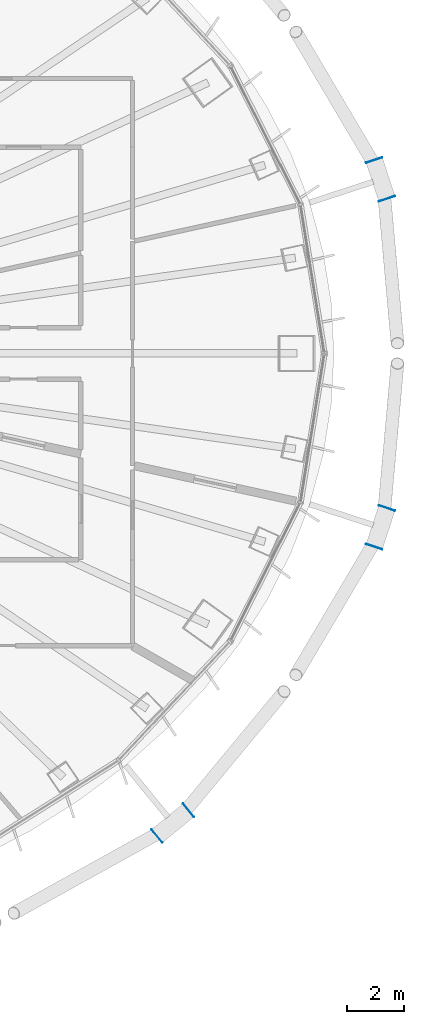
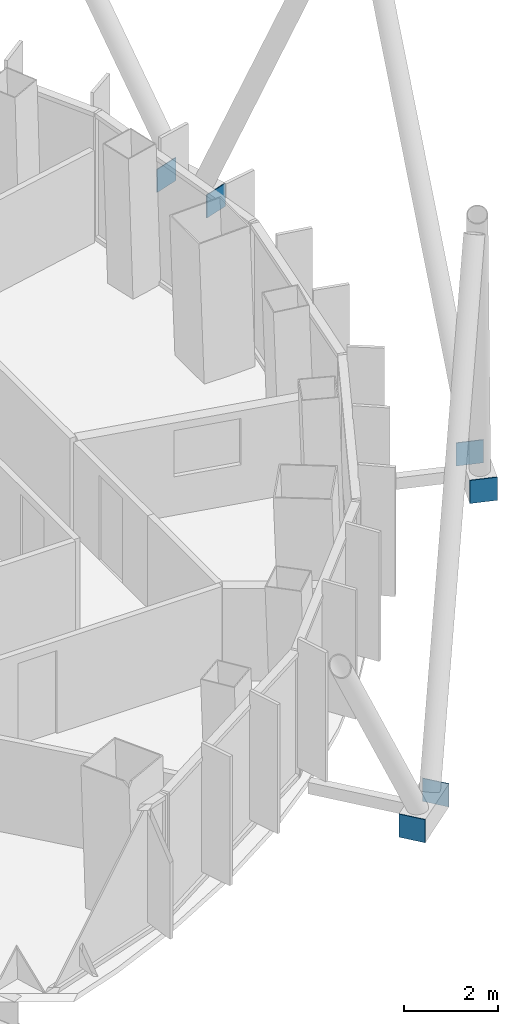
# One storey, part 13 of 18: 6 discrete accessories.
"""IFC4 building model written with IfcOpenShell, lengths in metres."""

from ifc_helpers import new_model, si_unit, direction, frame, origin, origin_2d, place, context, subcontext, project, spatial, rectangle, extrude, material, layer, layer_set, type_object, element, save


model = new_model("IFC4")

# Units and contexts
model_context = context("Model", 3, precision=1e-05, world=origin(), true_north=direction((0.0, 1.0)))
body_context = subcontext(model_context, "Body", "Model", "MODEL_VIEW")
ifc_project = project(units=[si_unit("LENGTHUNIT", "METRE"), si_unit("AREAUNIT", "SQUARE_METRE"), si_unit("VOLUMEUNIT", "CUBIC_METRE"), si_unit("PLANEANGLEUNIT", "RADIAN"), si_unit("MASSUNIT", "GRAM", prefix="KILO")], contexts=[model_context])

# Site, building, storey
site_placement = place(None, origin())
site = spatial("IfcSite", under=ifc_project, at=site_placement, CompositionType="ELEMENT")
building_placement = place(site_placement, origin())
building = spatial("IfcBuilding", under=site, at=building_placement, Name="Siaravel Broadcast Tower", CompositionType="ELEMENT")
storey_placement = place(building_placement, frame((0.0, 0.0, 141.5)))
storey = spatial("IfcBuildingStorey", under=building, at=storey_placement, Name="L34", CompositionType="ELEMENT", Elevation=141.5)

# Discrete accessories
ifc_material = material(Name="Steel S355", Category="steel")
ifc_layer = layer(ifc_material, 0.02001953125)
ifc_layer_set = layer_set([ifc_layer], Name="Steel S355")
discrete_accessory_type = type_object("IfcDiscreteAccessoryType", Name="Steel end plate 20 mm", PredefinedType="USERDEFINED", material=ifc_layer_set)
for number, where, z_axis, x_axis, name in (
    (1, (26.240966796875, 6.74853515625, -0.5), (0.0, 0.0, 1.0), (-0.310908675, 0.950439791, 0.0), "End plate R14 station 03A"),
    (2, (26.682373046875, 5.399169921875, -0.5), (0.0, 0.0, 1.0), (-0.310908675, 0.950439791, 0.0), "End plate R14 station 03B"),
    (3, (19.759033203125, -15.947265625, -0.5), (0.0, 0.0, 1.0), (0.773602482, 0.633671208, 0.0), "End plate R14 station 63A"),
    (4, (18.660888671875, -16.8466796875, -0.5), (0.0, 0.0, 1.0), (0.773602482, 0.633671208, 0.0), "End plate R14 station 63B"),
    (5, (26.682373046875, -5.399169921875, -0.5), (0.0, 0.0, 1.0), (0.310908675, 0.950439791, 0.0), "End plate R14 station 69A"),
    (6, (26.240966796875, -6.74853515625, -0.5), (0.0, 0.0, 1.0), (0.310908675, 0.950439791, 0.0), "End plate R14 station 69B"),
):
    element("IfcDiscreteAccessory", number, at=place(storey_placement, frame(where, z_axis=z_axis, x_axis=x_axis)), inside=storey, type_object=discrete_accessory_type, Name=name, ObjectType="END PLATE", PredefinedType="USERDEFINED", context=body_context, shape_type="SweptSolid", body=[
        extrude(rectangle(XDim=0.02001953125, YDim=0.60009765625, at=origin_2d()), origin(), (0.0, 0.0, 1.0), 0.60009765625),
    ])

save(model, "model.ifc")
